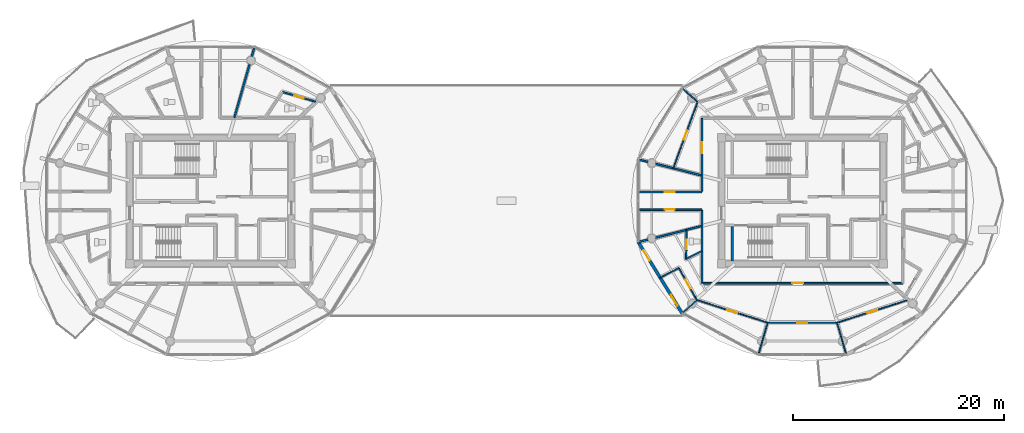
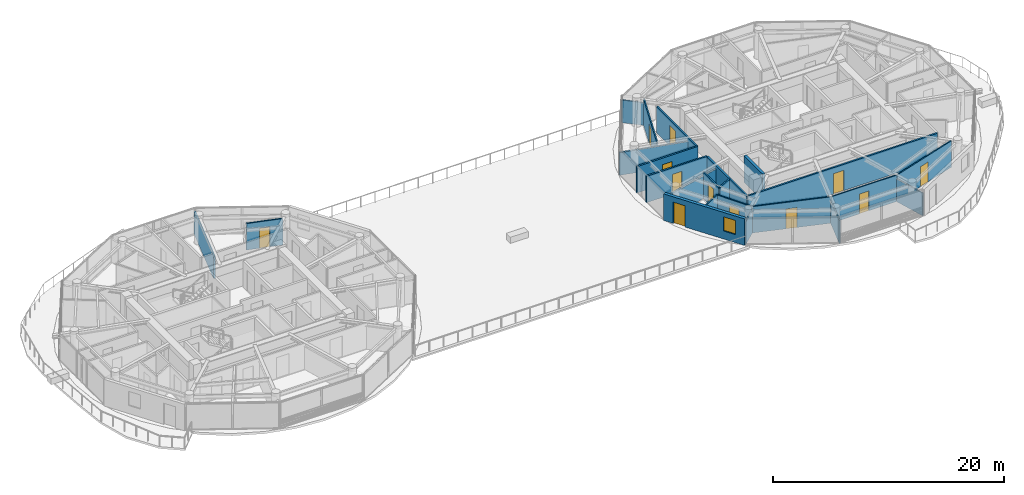
# One storey, part 16 of 30: 23 walls, 12 doors, 1 window, 13 openings.
"""IFC4 building model written with IfcOpenShell, lengths in metres."""

from ifc_helpers import new_model, si_unit, direction, frame, frame_2d, origin, place, context, subcontext, project, spatial, rectangle, extrude, source, transform, mapped, material, layer, layer_set, type_object, type_shapes, element, fill, save


model = new_model("IFC4")

# Units and contexts
model_context = context("Model", 3, precision=1e-05, world=origin(), true_north=direction((0.0, 1.0)))
body_context = subcontext(model_context, "Body", "Model", "MODEL_VIEW")
ifc_project = project(units=[si_unit("LENGTHUNIT", "METRE"), si_unit("AREAUNIT", "SQUARE_METRE"), si_unit("VOLUMEUNIT", "CUBIC_METRE"), si_unit("PLANEANGLEUNIT", "RADIAN"), si_unit("MASSUNIT", "GRAM", prefix="KILO")], contexts=[model_context])

# Site, building, storey
site_placement = place(None, origin())
site = spatial("IfcSite", under=ifc_project, at=site_placement, CompositionType="ELEMENT")
building_placement = place(site_placement, origin())
building = spatial("IfcBuilding", under=site, at=building_placement, Name="Norrkilde Senior Care Towers", CompositionType="ELEMENT")
storey_placement = place(building_placement, frame((0.0, 0.0, 232.199951171875)))
storey = spatial("IfcBuildingStorey", under=building, at=storey_placement, Name="L72", CompositionType="ELEMENT", Elevation=232.199951171875)

# Wall, openings, door, window
ifc_material_1 = material(Name="Precast concrete C45/55", Category="concrete")
ifc_layer_1 = layer(ifc_material_1, 0.2900390625)
ifc_layer_set_1 = layer_set([ifc_layer_1], Name="Precast concrete C45/55")
wall_type_1 = type_object("IfcWallType", Name="Winter Garden Facade Wall 290", PredefinedType="SOLIDWALL", material=ifc_layer_set_1)
shared_shape_1 = source(origin(), body_context, "Body", "SweptSolid", [
    extrude(rectangle(XDim=7.938232421875, YDim=0.2900390625, at=frame_2d((3.96923828125, 0.0))), origin(), (0.0, 0.0, 1.0), 2.81005859375),
])
type_shapes(wall_type_1, [shared_shape_1])
wall_1_placement = place(storey_placement, frame((16.629638671875, -10.6630859375, 0.0), z_axis=(0.0, 0.0, 1.0), x_axis=(-0.524244987663, 0.851567491694, 0.0)))
wall_1 = element("IfcWall", 1, at=wall_1_placement, inside=storey, type_object=wall_type_1, Name="L72 Drum E Balcony Access Wall 06", PredefinedType="SOLIDWALL", context=body_context, shape_type="MappedRepresentation", body=[
    mapped(shared_shape_1, transform((0.0, 0.0, 0.0), x_axis=(1.0, 0.0, 0.0), y_axis=(0.0, 1.0, 0.0), z_axis=(0.0, 0.0, 1.0), scale=1.0)),
])
opening_1_placement = place(wall_1_placement, frame((5.860107421875, 0.0, 0.0)))
opening_1 = element("IfcOpeningElement", 2, at=opening_1_placement, cuts=wall_1, Name="Opening D-09", PredefinedType="OPENING", context=body_context, shape_type="SweptSolid", body=[
    extrude(rectangle(XDim=1.14990234375, YDim=2.25, at=frame_2d((0.574951171875, 1.125))), frame((0.0, 0.155029296875, 0.0), z_axis=(0.0, -1.0, 0.0), x_axis=(1.0, 0.0, 0.0)), (0.0, 0.0, 1.0), 0.31005859375),
])
opening_2_placement = place(wall_1_placement, frame((0.85009765625, 0.0, 0.85009765625)))
opening_2 = element("IfcOpeningElement", 3, at=opening_2_placement, cuts=wall_1, Name="Opening WN-07", PredefinedType="OPENING", context=body_context, shape_type="SweptSolid", body=[
    extrude(rectangle(XDim=1.199951171875, YDim=1.5, at=frame_2d((0.60009765625, 0.75))), frame((0.0, 0.155029296875, 0.0), z_axis=(0.0, -1.0, 0.0), x_axis=(1.0, 0.0, 0.0)), (0.0, 0.0, 1.0), 0.31005859375),
])
ifc_material_2 = material(Name="Anodised Aluminium", Category="aluminium")
door_type_1 = type_object("IfcDoorType", Name="Terrace and Balcony Glazed Door 1150x2250", OperationType="NOTDEFINED", PredefinedType="DOOR", material=ifc_material_2)
shared_shape_2 = source(origin(), body_context, "Body", "SweptSolid", [
    extrude(rectangle(XDim=1.14990234375, YDim=2.25, at=frame_2d((0.574951171875, 1.125))), frame((0.0, 0.02490234375, 0.0), z_axis=(0.0, -1.0, 0.0), x_axis=(1.0, 0.0, 0.0)), (0.0, 0.0, 1.0), 0.050048828125),
])
type_shapes(door_type_1, [shared_shape_2])
door_1_placement = place(opening_1_placement, origin())
door_1 = element("IfcDoor", 4, at=door_1_placement, inside=storey, type_object=door_type_1, Name="L72 Drum E Outdoor Terrace Door 06", OperationType="SINGLE_SWING_LEFT", OverallHeight=2.25, OverallWidth=1.14990234375, PredefinedType="DOOR", context=body_context, shape_type="MappedRepresentation", body=[
    mapped(shared_shape_2, transform((0.0, 0.0, 0.0), x_axis=(1.0, 0.0, 0.0), y_axis=(0.0, 1.0, 0.0), z_axis=(0.0, 0.0, 1.0), scale=1.0)),
])
fill(opening_1, door_1)
ifc_material_3 = material(Name="Triple Low-E Insulated Glazing", Category="glass")
window_type = type_object("IfcWindowType", Name="Stairwell Smoke Vent Window 1200x1500", PartitioningType="SINGLE_PANEL", PredefinedType="WINDOW", material=ifc_material_3)
shared_shape_3 = source(origin(), body_context, "Body", "SweptSolid", [
    extrude(rectangle(XDim=1.199951171875, YDim=1.5, at=frame_2d((0.60009765625, 0.75))), frame((0.0, 0.030029296875, 0.0), z_axis=(0.0, -1.0, 0.0), x_axis=(1.0, 0.0, 0.0)), (0.0, 0.0, 1.0), 0.06005859375),
])
type_shapes(window_type, [shared_shape_3])
window_placement = place(opening_2_placement, origin())
window = element("IfcWindow", 5, at=window_placement, inside=storey, type_object=window_type, Name="L72 Drum E Winter Garden Window 06", OverallHeight=1.5, OverallWidth=1.199951171875, PartitioningType="SINGLE_PANEL", PredefinedType="WINDOW", context=body_context, shape_type="MappedRepresentation", body=[
    mapped(shared_shape_3, transform((0.0, 0.0, 0.0), x_axis=(1.0, 0.0, 0.0), y_axis=(0.0, 1.0, 0.0), z_axis=(0.0, 0.0, 1.0), scale=1.0)),
])
fill(opening_2, window)

# Wall, opening, door
ifc_material_4 = material(Name="Gypsum Acoustic Board")
ifc_layer_2 = layer(ifc_material_4, 0.1650390625)
ifc_layer_set_2 = layer_set([ifc_layer_2], Name="Gypsum Acoustic Board")
wall_type_2 = type_object("IfcWallType", Name="Corridor Rated Partition 165", PredefinedType="PARTITIONING", material=ifc_layer_set_2)
shared_shape_4 = source(origin(), body_context, "Body", "SweptSolid", [
    extrude(rectangle(XDim=19.0, YDim=0.1650390625, at=frame_2d((9.5, 0.0))), origin(), (0.0, 0.0, 1.0), 2.795166015625),
])
wall_2_placement = place(storey_placement, frame((37.5, -7.800048828125, 0.0), z_axis=(0.0, 0.0, 1.0), x_axis=(-1.0, 0.0, 0.0)))
wall_2 = element("IfcWall", 6, at=wall_2_placement, inside=storey, type_object=wall_type_2, Name="WL-INT-L72-E-CRW-S-0", PredefinedType="PARTITIONING", context=body_context, shape_type="MappedRepresentation", body=[
    mapped(shared_shape_4, transform((0.0, 0.0, 0.0), x_axis=(1.0, 0.0, 0.0), y_axis=(0.0, 1.0, 0.0), z_axis=(0.0, 0.0, 1.0), scale=1.0)),
])
opening_3_placement = place(wall_2_placement, frame((9.39208984375, 0.0, 0.0)))
opening_3 = element("IfcOpeningElement", 7, at=opening_3_placement, cuts=wall_2, Name="Opening D-06", PredefinedType="OPENING", context=body_context, shape_type="SweptSolid", body=[
    extrude(rectangle(XDim=1.050048828125, YDim=2.14990234375, at=frame_2d((0.52490234375, 1.074951171875))), frame((0.0, 0.092529296875, 0.0), z_axis=(0.0, -1.0, 0.0), x_axis=(1.0, 0.0, 0.0)), (0.0, 0.0, 1.0), 0.18505859375),
])
ifc_material_5 = material(Name="Nordic Ash Timber", Category="wood")
door_type_2 = type_object("IfcDoorType", Name="Apartment Entrance Fire Door 1050x2150", OperationType="NOTDEFINED", PredefinedType="DOOR", material=ifc_material_5)
shared_shape_5 = source(origin(), body_context, "Body", "SweptSolid", [
    extrude(rectangle(XDim=1.050048828125, YDim=2.14990234375, at=frame_2d((0.52490234375, 1.074951171875))), frame((0.0, 0.02490234375, 0.0), z_axis=(0.0, -1.0, 0.0), x_axis=(1.0, 0.0, 0.0)), (0.0, 0.0, 1.0), 0.050048828125),
])
type_shapes(door_type_2, [shared_shape_5])
door_2_placement = place(opening_3_placement, frame((1.050048828125, 0.0, 0.0), z_axis=(0.0, 0.0, 1.0), x_axis=(-1.0, 0.0, 0.0)))
door_2 = element("IfcDoor", 8, at=door_2_placement, inside=storey, type_object=door_type_2, Name="Apartment 72C Entrance Door", OperationType="SINGLE_SWING_LEFT", OverallHeight=2.14990234375, OverallWidth=1.050048828125, PredefinedType="DOOR", context=body_context, shape_type="MappedRepresentation", body=[
    mapped(shared_shape_5, transform((0.0, 0.0, 0.0), x_axis=(1.0, 0.0, 0.0), y_axis=(0.0, 1.0, 0.0), z_axis=(0.0, 0.0, 1.0), scale=1.0)),
])
fill(opening_3, door_2)

# Wall
shared_shape_6 = source(origin(), body_context, "Body", "SweptSolid", [
    extrude(rectangle(XDim=6.880126953125, YDim=0.1650390625, at=frame_2d((3.43994140625, 0.0))), origin(), (0.0, 0.0, 1.0), 2.795166015625),
])
wall_3_placement = place(storey_placement, frame((18.5, -7.800048828125, 0.0), z_axis=(0.0, 0.0, 1.0), x_axis=(0.0, 1.0, 0.0)))
element("IfcWall", 9, at=wall_3_placement, inside=storey, type_object=wall_type_2, Name="WL-INT-L72-E-CRW-W-0", PredefinedType="PARTITIONING", context=body_context, shape_type="MappedRepresentation", body=[
    mapped(shared_shape_6, transform((0.0, 0.0, 0.0), x_axis=(1.0, 0.0, 0.0), y_axis=(0.0, 1.0, 0.0), z_axis=(0.0, 0.0, 1.0), scale=1.0)),
])

# Wall, opening, door
wall_4_placement = place(storey_placement, frame((18.5, 0.919921875, 0.0), z_axis=(0.0, 0.0, 1.0), x_axis=(0.0, 1.0, 0.0)))
wall_4 = element("IfcWall", 10, at=wall_4_placement, inside=storey, type_object=wall_type_2, Name="WL-INT-L72-E-CRW-W-1", PredefinedType="PARTITIONING", context=body_context, shape_type="MappedRepresentation", body=[
    mapped(shared_shape_6, transform((0.0, 0.0, 0.0), x_axis=(1.0, 0.0, 0.0), y_axis=(0.0, 1.0, 0.0), z_axis=(0.0, 0.0, 1.0), scale=1.0)),
])
opening_4_placement = place(wall_4_placement, frame((3.564208984375, 0.0, 0.0)))
opening_4 = element("IfcOpeningElement", 11, at=opening_4_placement, cuts=wall_4, Name="Opening D-06", PredefinedType="OPENING", context=body_context, shape_type="SweptSolid", body=[
    extrude(rectangle(XDim=1.050048828125, YDim=2.14990234375, at=frame_2d((0.52490234375, 1.074951171875))), frame((0.0, 0.092529296875, 0.0), z_axis=(0.0, -1.0, 0.0), x_axis=(1.0, 0.0, 0.0)), (0.0, 0.0, 1.0), 0.18505859375),
])
door_3_placement = place(opening_4_placement, frame((1.050048828125, 0.0, 0.0), z_axis=(0.0, 0.0, 1.0), x_axis=(-1.0, 0.0, 0.0)))
door_3 = element("IfcDoor", 12, at=door_3_placement, inside=storey, type_object=door_type_2, Name="Apartment 72B Entrance Door", OperationType="SINGLE_SWING_RIGHT", OverallHeight=2.14990234375, OverallWidth=1.050048828125, PredefinedType="DOOR", context=body_context, shape_type="MappedRepresentation", body=[
    mapped(shared_shape_5, transform((0.0, 0.0, 0.0), x_axis=(1.0, 0.0, 0.0), y_axis=(0.0, 1.0, 0.0), z_axis=(0.0, 0.0, 1.0), scale=1.0)),
])
fill(opening_4, door_3)

# Walls
ifc_material_6 = material(Name="Concrete C45/55", Category="concrete")
ifc_layer_3 = layer(ifc_material_6, 0.239990234375)
ifc_layer_set_3 = layer_set([ifc_layer_3], Name="Concrete C45/55")
wall_type_3 = type_object("IfcWallType", Name="Shaft and Stair Enclosure Wall 240", PredefinedType="PARTITIONING", material=ifc_layer_set_3)
shared_shape_7 = source(origin(), body_context, "Body", "SweptSolid", [
    extrude(rectangle(XDim=3.239990234375, YDim=0.239990234375, at=frame_2d((1.6201171875, 0.0))), origin(), (0.0, 0.0, 1.0), 2.81005859375),
])
type_shapes(wall_type_3, [shared_shape_7])
wall_5_placement = place(storey_placement, frame((21.3798828125, -5.68994140625, 0.0), z_axis=(0.0, 0.0, 1.0), x_axis=(0.0, 1.0, 0.0)))
element("IfcWall", 13, at=wall_5_placement, inside=storey, type_object=wall_type_3, Name="WL-INT-L72-E-ST2W", PredefinedType="PARTITIONING", context=body_context, shape_type="MappedRepresentation", body=[
    mapped(shared_shape_7, transform((0.0, 0.0, 0.0), x_axis=(1.0, 0.0, 0.0), y_axis=(0.0, 1.0, 0.0), z_axis=(0.0, 0.0, 1.0), scale=1.0)),
])
shared_shape_8 = source(origin(), body_context, "Body", "SweptSolid", [
    extrude(rectangle(XDim=6.973876953125, YDim=0.1650390625, at=frame_2d((3.48681640625, 0.0))), origin(), (0.0, 0.0, 1.0), 2.39501953125),
])
wall_6_placement = place(storey_placement, frame((-25.748779296875, 7.8798828125, 0.0), z_axis=(0.0, 0.0, 1.0), x_axis=(0.274707256801, 0.961527910703, 0.0)))
element("IfcWall", 14, at=wall_6_placement, inside=storey, type_object=wall_type_2, Name="WL-INT-L72-W-DEM-02-0", PredefinedType="PARTITIONING", context=body_context, shape_type="MappedRepresentation", body=[
    mapped(shared_shape_8, transform((0.0, 0.0, 0.0), x_axis=(1.0, 0.0, 0.0), y_axis=(0.0, 1.0, 0.0), z_axis=(0.0, 0.0, 1.0), scale=1.0)),
])
shared_shape_9 = source(origin(), body_context, "Body", "SweptSolid", [
    extrude(rectangle(XDim=6.1572265625, YDim=0.1650390625, at=frame_2d((3.07861328125, 0.0))), origin(), (0.0, 0.0, 1.0), 2.39501953125),
])
for number, where, z_axis, x_axis, name in (
    (15, (18.419921875, 2.407470703125, 0.0), (0.0, 0.0, 1.0), (-0.969840867184, 0.243738984038, 0.0), "WL-INT-L72-E-DEM-05-0"),
    (16, (18.419921875, -2.407470703125, 0.0), (0.0, 0.0, 1.0), (-0.969840867184, -0.243738984038, 0.0), "WL-INT-L72-E-DEM-06-0"),
):
    element("IfcWall", number, at=place(storey_placement, frame(where, z_axis=z_axis, x_axis=x_axis)), inside=storey, type_object=wall_type_2, Name=name, PredefinedType="PARTITIONING", context=body_context, shape_type="MappedRepresentation", body=[
        mapped(shared_shape_9, transform((0.0, 0.0, 0.0), x_axis=(1.0, 0.0, 0.0), y_axis=(0.0, 1.0, 0.0), z_axis=(0.0, 0.0, 1.0), scale=1.0)),
    ])

# Wall, opening, door
shared_shape_10 = source(origin(), body_context, "Body", "SweptSolid", [
    extrude(rectangle(XDim=6.101318359375, YDim=0.1650390625, at=frame_2d((3.05078125, 0.0))), origin(), (0.0, 0.0, 1.0), 2.795166015625),
])
type_shapes(wall_type_2, [shared_shape_4, shared_shape_6, shared_shape_8, shared_shape_9, shared_shape_10])
wall_7_placement = place(storey_placement, frame((12.398681640625, 0.840087890625, 0.0), z_axis=(0.0, 0.0, 1.0), x_axis=(1.0, 0.0, 0.0)))
wall_7 = element("IfcWall", 17, at=wall_7_placement, inside=storey, type_object=wall_type_2, Name="WL-INT-L72-E-SPK-W1-0", PredefinedType="PARTITIONING", context=body_context, shape_type="MappedRepresentation", body=[
    mapped(shared_shape_10, transform((0.0, 0.0, 0.0), x_axis=(1.0, 0.0, 0.0), y_axis=(0.0, 1.0, 0.0), z_axis=(0.0, 0.0, 1.0), scale=1.0)),
])
opening_5_placement = place(wall_7_placement, frame((2.57568359375, 0.0, 0.0)))
opening_5 = element("IfcOpeningElement", 18, at=opening_5_placement, cuts=wall_7, Name="Opening D-07", PredefinedType="OPENING", context=body_context, shape_type="SweptSolid", body=[
    extrude(rectangle(XDim=0.949951171875, YDim=2.10009765625, at=frame_2d((0.47509765625, 1.050048828125))), frame((0.0, 0.092529296875, 0.0), z_axis=(0.0, -1.0, 0.0), x_axis=(1.0, 0.0, 0.0)), (0.0, 0.0, 1.0), 0.18505859375),
])
door_type_3 = type_object("IfcDoorType", Name="Internal Suite Bedroom Door 950x2100", OperationType="NOTDEFINED", PredefinedType="DOOR", material=ifc_material_5)
shared_shape_11 = source(origin(), body_context, "Body", "SweptSolid", [
    extrude(rectangle(XDim=0.949951171875, YDim=2.10009765625, at=frame_2d((0.47509765625, 1.050048828125))), frame((0.0, 0.02490234375, 0.0), z_axis=(0.0, -1.0, 0.0), x_axis=(1.0, 0.0, 0.0)), (0.0, 0.0, 1.0), 0.050048828125),
])
type_shapes(door_type_3, [shared_shape_11])
door_4_placement = place(opening_5_placement, frame((0.949951171875, 0.0, 0.0), z_axis=(0.0, 0.0, 1.0), x_axis=(-1.0, 0.0, 0.0)))
door_4 = element("IfcDoor", 19, at=door_4_placement, inside=storey, type_object=door_type_3, Name="L72 Sun Reading Lounge 2 Door", OperationType="SINGLE_SWING_LEFT", OverallHeight=2.10009765625, OverallWidth=0.949951171875, PredefinedType="DOOR", context=body_context, shape_type="MappedRepresentation", body=[
    mapped(shared_shape_11, transform((0.0, 0.0, 0.0), x_axis=(1.0, 0.0, 0.0), y_axis=(0.0, 1.0, 0.0), z_axis=(0.0, 0.0, 1.0), scale=1.0)),
])
fill(opening_5, door_4)

wall_8_placement = place(storey_placement, frame((18.5, -0.840087890625, 0.0), z_axis=(0.0, 0.0, 1.0), x_axis=(-1.0, 0.0, 0.0)))
wall_8 = element("IfcWall", 20, at=wall_8_placement, inside=storey, type_object=wall_type_2, Name="WL-INT-L72-E-SPK-W2-0", PredefinedType="PARTITIONING", context=body_context, shape_type="MappedRepresentation", body=[
    mapped(shared_shape_10, transform((0.0, 0.0, 0.0), x_axis=(1.0, 0.0, 0.0), y_axis=(0.0, 1.0, 0.0), z_axis=(0.0, 0.0, 1.0), scale=1.0)),
])
opening_6_placement = place(wall_8_placement, frame((2.57568359375, 0.0, 0.0)))
opening_6 = element("IfcOpeningElement", 21, at=opening_6_placement, cuts=wall_8, Name="Opening D-07", PredefinedType="OPENING", context=body_context, shape_type="SweptSolid", body=[
    extrude(rectangle(XDim=0.949951171875, YDim=2.10009765625, at=frame_2d((0.47509765625, 1.050048828125))), frame((0.0, 0.092529296875, 0.0), z_axis=(0.0, -1.0, 0.0), x_axis=(1.0, 0.0, 0.0)), (0.0, 0.0, 1.0), 0.18505859375),
])
door_5_placement = place(opening_6_placement, frame((0.949951171875, 0.0, 0.0), z_axis=(0.0, 0.0, 1.0), x_axis=(-1.0, 0.0, 0.0)))
door_5 = element("IfcDoor", 22, at=door_5_placement, inside=storey, type_object=door_type_3, Name="L72 Sun Reading Lounge 1 Door", OperationType="SINGLE_SWING_RIGHT", OverallHeight=2.10009765625, OverallWidth=0.949951171875, PredefinedType="DOOR", context=body_context, shape_type="MappedRepresentation", body=[
    mapped(shared_shape_11, transform((0.0, 0.0, 0.0), x_axis=(1.0, 0.0, 0.0), y_axis=(0.0, 1.0, 0.0), z_axis=(0.0, 0.0, 1.0), scale=1.0)),
])
fill(opening_6, door_5)

ifc_layer_4 = layer(ifc_material_4, 0.139892578125)
ifc_layer_set_4 = layer_set([ifc_layer_4], Name="Gypsum Acoustic Board")
wall_type_4 = type_object("IfcWallType", Name="En-suite Wet Room Wall 140", PredefinedType="PARTITIONING", material=ifc_layer_set_4)
shared_shape_12 = source(origin(), body_context, "Body", "SweptSolid", [
    extrude(rectangle(XDim=3.252197265625, YDim=0.139892578125, at=frame_2d((1.6259765625, 0.0))), origin(), (0.0, 0.0, 1.0), 2.795166015625),
])
wall_9_placement = place(storey_placement, frame((-21.180419921875, 10.291259765625, 0.0), z_axis=(0.0, 0.0, 1.0), x_axis=(0.959294945864, -0.282406102695, 0.0)))
wall_9 = element("IfcWall", 23, at=wall_9_placement, inside=storey, type_object=wall_type_4, Name="WL-INT-L72-W-EF-01", PredefinedType="PARTITIONING", context=body_context, shape_type="MappedRepresentation", body=[
    mapped(shared_shape_12, transform((0.0, 0.0, 0.0), x_axis=(1.0, 0.0, 0.0), y_axis=(0.0, 1.0, 0.0), z_axis=(0.0, 0.0, 1.0), scale=1.0)),
])
opening_7_placement = place(wall_9_placement, frame((1.166259765625, 0.0, 0.0)))
opening_7 = element("IfcOpeningElement", 24, at=opening_7_placement, cuts=wall_9, Name="Opening D-08", PredefinedType="OPENING", context=body_context, shape_type="SweptSolid", body=[
    extrude(rectangle(XDim=0.919921875, YDim=2.10009765625, at=frame_2d((0.4599609375, 1.050048828125))), frame((0.0, 0.079833984375, 0.0), z_axis=(0.0, -1.0, 0.0), x_axis=(1.0, 0.0, 0.0)), (0.0, 0.0, 1.0), 0.159912109375),
])
door_type_4 = type_object("IfcDoorType", Name="Accessible Wet Room Door 920x2100", OperationType="NOTDEFINED", PredefinedType="DOOR", material=ifc_material_5)
shared_shape_13 = source(origin(), body_context, "Body", "SweptSolid", [
    extrude(rectangle(XDim=0.919921875, YDim=2.10009765625, at=frame_2d((0.4599609375, 1.050048828125))), frame((0.0, 0.02490234375, 0.0), z_axis=(0.0, -1.0, 0.0), x_axis=(1.0, 0.0, 0.0)), (0.0, 0.0, 1.0), 0.050048828125),
])
type_shapes(door_type_4, [shared_shape_13])
door_6_placement = place(opening_7_placement, origin())
door_6 = element("IfcDoor", 25, at=door_6_placement, inside=storey, type_object=door_type_4, Name="L72 Care Suite 7201 Bathroom Door", OperationType="SINGLE_SWING_LEFT", OverallHeight=2.10009765625, OverallWidth=0.919921875, PredefinedType="DOOR", context=body_context, shape_type="MappedRepresentation", body=[
    mapped(shared_shape_13, transform((0.0, 0.0, 0.0), x_axis=(1.0, 0.0, 0.0), y_axis=(0.0, 1.0, 0.0), z_axis=(0.0, 0.0, 1.0), scale=1.0)),
])
fill(opening_7, door_6)

# Wall
shared_shape_14 = source(origin(), body_context, "Body", "SweptSolid", [
    extrude(rectangle(XDim=1.638427734375, YDim=0.139892578125, at=frame_2d((0.8193359375, 0.0))), origin(), (0.0, 0.0, 1.0), 2.795166015625),
])
wall_10_placement = place(storey_placement, frame((18.469970703125, -4.7783203125, 0.0), z_axis=(0.0, 0.0, 1.0), x_axis=(-0.893919977945, -0.448226586707, 0.0)))
element("IfcWall", 26, at=wall_10_placement, inside=storey, type_object=wall_type_4, Name="WL-INT-L72-E-UBTS-06", PredefinedType="PARTITIONING", context=body_context, shape_type="MappedRepresentation", body=[
    mapped(shared_shape_14, transform((0.0, 0.0, 0.0), x_axis=(1.0, 0.0, 0.0), y_axis=(0.0, 1.0, 0.0), z_axis=(0.0, 0.0, 1.0), scale=1.0)),
])

# Wall, opening, door
shared_shape_15 = source(origin(), body_context, "Body", "SweptSolid", [
    extrude(rectangle(XDim=2.7587890625, YDim=0.139892578125, at=frame_2d((1.37939453125, 0.0))), origin(), (0.0, 0.0, 1.0), 2.795166015625),
])
type_shapes(wall_type_4, [shared_shape_12, shared_shape_14, shared_shape_15])
wall_11_placement = place(storey_placement, frame((17.00537109375, -5.5126953125, 0.0), z_axis=(0.0, 0.0, 1.0), x_axis=(0.01194710728, 0.999928630767, 0.0)))
wall_11 = element("IfcWall", 27, at=wall_11_placement, inside=storey, type_object=wall_type_4, Name="WL-INT-L72-E-UBTF-06", PredefinedType="PARTITIONING", context=body_context, shape_type="MappedRepresentation", body=[
    mapped(shared_shape_15, transform((0.0, 0.0, 0.0), x_axis=(1.0, 0.0, 0.0), y_axis=(0.0, 1.0, 0.0), z_axis=(0.0, 0.0, 1.0), scale=1.0)),
])
opening_8_placement = place(wall_11_placement, frame((0.91943359375, 0.0, 0.0)))
opening_8 = element("IfcOpeningElement", 28, at=opening_8_placement, cuts=wall_11, Name="Opening D-08", PredefinedType="OPENING", context=body_context, shape_type="SweptSolid", body=[
    extrude(rectangle(XDim=0.919921875, YDim=2.10009765625, at=frame_2d((0.4599609375, 1.050048828125))), frame((0.0, 0.079833984375, 0.0), z_axis=(0.0, -1.0, 0.0), x_axis=(1.0, 0.0, 0.0)), (0.0, 0.0, 1.0), 0.159912109375),
])
door_7_placement = place(opening_8_placement, origin())
door_7 = element("IfcDoor", 29, at=door_7_placement, inside=storey, type_object=door_type_4, Name="Apartment 72C Bathroom Door", OperationType="SINGLE_SWING_RIGHT", OverallHeight=2.10009765625, OverallWidth=0.919921875, PredefinedType="DOOR", context=body_context, shape_type="MappedRepresentation", body=[
    mapped(shared_shape_13, transform((0.0, 0.0, 0.0), x_axis=(1.0, 0.0, 0.0), y_axis=(0.0, 1.0, 0.0), z_axis=(0.0, 0.0, 1.0), scale=1.0)),
])
fill(opening_8, door_7)

ifc_layer_5 = layer(ifc_material_4, 0.114990234375)
ifc_layer_set_5 = layer_set([ifc_layer_5], Name="Gypsum Acoustic Board")
wall_type_5 = type_object("IfcWallType", Name="Internal Room Partition 115", PredefinedType="PARTITIONING", material=ifc_layer_set_5)
shared_shape_16 = source(origin(), body_context, "Body", "SweptSolid", [
    extrude(rectangle(XDim=6.68994140625, YDim=0.114990234375, at=frame_2d((3.344970703125, 0.0))), origin(), (0.0, 0.0, 1.0), 2.795166015625),
])
wall_12_placement = place(storey_placement, frame((18.082763671875, 9.351806640625, 0.0), z_axis=(0.0, 0.0, 1.0), x_axis=(-0.343693784919, -0.939081776102, 0.0)))
wall_12 = element("IfcWall", 30, at=wall_12_placement, inside=storey, type_object=wall_type_5, Name="WL-INT-L72-E-UBC-03-1", PredefinedType="PARTITIONING", context=body_context, shape_type="MappedRepresentation", body=[
    mapped(shared_shape_16, transform((0.0, 0.0, 0.0), x_axis=(1.0, 0.0, 0.0), y_axis=(0.0, 1.0, 0.0), z_axis=(0.0, 0.0, 1.0), scale=1.0)),
])
opening_9_placement = place(wall_12_placement, frame((2.8701171875, 0.0, 0.0)))
opening_9 = element("IfcOpeningElement", 31, at=opening_9_placement, cuts=wall_12, Name="Opening D-07", PredefinedType="OPENING", context=body_context, shape_type="SweptSolid", body=[
    extrude(rectangle(XDim=0.949951171875, YDim=2.10009765625, at=frame_2d((0.47509765625, 1.050048828125))), frame((0.0, 0.0673828125, 0.0), z_axis=(0.0, -1.0, 0.0), x_axis=(1.0, 0.0, 0.0)), (0.0, 0.0, 1.0), 0.135009765625),
])
door_8_placement = place(opening_9_placement, origin())
door_8 = element("IfcDoor", 32, at=door_8_placement, inside=storey, type_object=door_type_3, Name="Apartment 72B Bedroom 1 Door", OperationType="SINGLE_SWING_LEFT", OverallHeight=2.10009765625, OverallWidth=0.949951171875, PredefinedType="DOOR", context=body_context, shape_type="MappedRepresentation", body=[
    mapped(shared_shape_11, transform((0.0, 0.0, 0.0), x_axis=(1.0, 0.0, 0.0), y_axis=(0.0, 1.0, 0.0), z_axis=(0.0, 0.0, 1.0), scale=1.0)),
])
fill(opening_9, door_8)

# Wall
shared_shape_17 = source(origin(), body_context, "Body", "SweptSolid", [
    extrude(rectangle(XDim=1.977294921875, YDim=0.114990234375, at=frame_2d((0.98876953125, 0.0))), origin(), (0.0, 0.0, 1.0), 2.39501953125),
])
wall_13_placement = place(storey_placement, frame((18.082763671875, 9.351806640625, 0.0), z_axis=(0.0, 0.0, 1.0), x_axis=(-0.742064998629, 0.670327933037, 0.0)))
element("IfcWall", 33, at=wall_13_placement, inside=storey, type_object=wall_type_5, Name="WL-INT-L72-E-UBR-03-1", PredefinedType="PARTITIONING", context=body_context, shape_type="MappedRepresentation", body=[
    mapped(shared_shape_17, transform((0.0, 0.0, 0.0), x_axis=(1.0, 0.0, 0.0), y_axis=(0.0, 1.0, 0.0), z_axis=(0.0, 0.0, 1.0), scale=1.0)),
])

# Wall, opening, door
shared_shape_18 = source(origin(), body_context, "Body", "SweptSolid", [
    extrude(rectangle(XDim=7.024169921875, YDim=0.114990234375, at=frame_2d((3.51220703125, 0.0))), origin(), (0.0, 0.0, 1.0), 2.795166015625),
])
wall_14_placement = place(storey_placement, frame((18.0302734375, -9.4013671875, 0.0), z_axis=(0.0, 0.0, 1.0), x_axis=(0.952454006655, -0.304682400552, 0.0)))
wall_14 = element("IfcWall", 34, at=wall_14_placement, inside=storey, type_object=wall_type_5, Name="WL-INT-L72-E-UBC-06-1", PredefinedType="PARTITIONING", context=body_context, shape_type="MappedRepresentation", body=[
    mapped(shared_shape_18, transform((0.0, 0.0, 0.0), x_axis=(1.0, 0.0, 0.0), y_axis=(0.0, 1.0, 0.0), z_axis=(0.0, 0.0, 1.0), scale=1.0)),
])
opening_10_placement = place(wall_14_placement, frame((3.037109375, 0.0, 0.0)))
opening_10 = element("IfcOpeningElement", 35, at=opening_10_placement, cuts=wall_14, Name="Opening D-07", PredefinedType="OPENING", context=body_context, shape_type="SweptSolid", body=[
    extrude(rectangle(XDim=0.949951171875, YDim=2.10009765625, at=frame_2d((0.47509765625, 1.050048828125))), frame((0.0, 0.0673828125, 0.0), z_axis=(0.0, -1.0, 0.0), x_axis=(1.0, 0.0, 0.0)), (0.0, 0.0, 1.0), 0.135009765625),
])
door_9_placement = place(opening_10_placement, origin())
door_9 = element("IfcDoor", 36, at=door_9_placement, inside=storey, type_object=door_type_3, Name="Apartment 72C Bedroom 1 Door", OperationType="SINGLE_SWING_RIGHT", OverallHeight=2.10009765625, OverallWidth=0.949951171875, PredefinedType="DOOR", context=body_context, shape_type="MappedRepresentation", body=[
    mapped(shared_shape_11, transform((0.0, 0.0, 0.0), x_axis=(1.0, 0.0, 0.0), y_axis=(0.0, 1.0, 0.0), z_axis=(0.0, 0.0, 1.0), scale=1.0)),
])
fill(opening_10, door_9)

wall_15_placement = place(storey_placement, frame((31.279541015625, -11.54150390625, 0.0), z_axis=(0.0, 0.0, 1.0), x_axis=(0.952454006655, 0.304682400552, 0.0)))
wall_15 = element("IfcWall", 37, at=wall_15_placement, inside=storey, type_object=wall_type_5, Name="WL-INT-L72-E-UBC-06-3", PredefinedType="PARTITIONING", context=body_context, shape_type="MappedRepresentation", body=[
    mapped(shared_shape_18, transform((0.0, 0.0, 0.0), x_axis=(1.0, 0.0, 0.0), y_axis=(0.0, 1.0, 0.0), z_axis=(0.0, 0.0, 1.0), scale=1.0)),
])
opening_11_placement = place(wall_15_placement, frame((3.037109375, 0.0, 0.0)))
opening_11 = element("IfcOpeningElement", 38, at=opening_11_placement, cuts=wall_15, Name="Opening D-07", PredefinedType="OPENING", context=body_context, shape_type="SweptSolid", body=[
    extrude(rectangle(XDim=0.949951171875, YDim=2.10009765625, at=frame_2d((0.47509765625, 1.050048828125))), frame((0.0, 0.0673828125, 0.0), z_axis=(0.0, -1.0, 0.0), x_axis=(1.0, 0.0, 0.0)), (0.0, 0.0, 1.0), 0.135009765625),
])
door_10_placement = place(opening_11_placement, origin())
door_10 = element("IfcDoor", 39, at=door_10_placement, inside=storey, type_object=door_type_3, Name="Apartment 72C Bedroom 3 Door", OperationType="SINGLE_SWING_RIGHT", OverallHeight=2.10009765625, OverallWidth=0.949951171875, PredefinedType="DOOR", context=body_context, shape_type="MappedRepresentation", body=[
    mapped(shared_shape_11, transform((0.0, 0.0, 0.0), x_axis=(1.0, 0.0, 0.0), y_axis=(0.0, 1.0, 0.0), z_axis=(0.0, 0.0, 1.0), scale=1.0)),
])
fill(opening_11, door_10)

# Wall
shared_shape_19 = source(origin(), body_context, "Body", "SweptSolid", [
    extrude(rectangle(XDim=1.905029296875, YDim=0.114990234375, at=frame_2d((0.95263671875, 0.0))), origin(), (0.0, 0.0, 1.0), 2.39501953125),
])
wall_16_placement = place(storey_placement, frame((18.0302734375, -9.4013671875, 0.0), z_axis=(0.0, 0.0, 1.0), x_axis=(-0.742624708137, -0.669707804094, 0.0)))
element("IfcWall", 40, at=wall_16_placement, inside=storey, type_object=wall_type_5, Name="WL-INT-L72-E-UBR-06-1", PredefinedType="PARTITIONING", context=body_context, shape_type="MappedRepresentation", body=[
    mapped(shared_shape_19, transform((0.0, 0.0, 0.0), x_axis=(1.0, 0.0, 0.0), y_axis=(0.0, 1.0, 0.0), z_axis=(0.0, 0.0, 1.0), scale=1.0)),
])

# Wall, opening, door
shared_shape_20 = source(origin(), body_context, "Body", "SweptSolid", [
    extrude(rectangle(XDim=6.5576171875, YDim=0.114990234375, at=frame_2d((3.27880859375, 0.0))), origin(), (0.0, 0.0, 1.0), 2.795166015625),
])
wall_17_placement = place(storey_placement, frame((24.72119140625, -11.538818359375, 0.0), z_axis=(0.0, 0.0, 1.0), x_axis=(1.0, 0.0, 0.0)))
wall_17 = element("IfcWall", 41, at=wall_17_placement, inside=storey, type_object=wall_type_5, Name="WL-INT-L72-E-UBC-06-2", PredefinedType="PARTITIONING", context=body_context, shape_type="MappedRepresentation", body=[
    mapped(shared_shape_20, transform((0.0, 0.0, 0.0), x_axis=(1.0, 0.0, 0.0), y_axis=(0.0, 1.0, 0.0), z_axis=(0.0, 0.0, 1.0), scale=1.0)),
])
opening_12_placement = place(wall_17_placement, frame((2.8037109375, 0.0, 0.0)))
opening_12 = element("IfcOpeningElement", 42, at=opening_12_placement, cuts=wall_17, Name="Opening D-07", PredefinedType="OPENING", context=body_context, shape_type="SweptSolid", body=[
    extrude(rectangle(XDim=0.949951171875, YDim=2.10009765625, at=frame_2d((0.47509765625, 1.050048828125))), frame((0.0, 0.0673828125, 0.0), z_axis=(0.0, -1.0, 0.0), x_axis=(1.0, 0.0, 0.0)), (0.0, 0.0, 1.0), 0.135009765625),
])
door_11_placement = place(opening_12_placement, frame((0.949951171875, 0.0, 0.0), z_axis=(0.0, 0.0, 1.0), x_axis=(-1.0, 0.0, 0.0)))
door_11 = element("IfcDoor", 43, at=door_11_placement, inside=storey, type_object=door_type_3, Name="Apartment 72C Bedroom 2 Door", OperationType="SINGLE_SWING_LEFT", OverallHeight=2.10009765625, OverallWidth=0.949951171875, PredefinedType="DOOR", context=body_context, shape_type="MappedRepresentation", body=[
    mapped(shared_shape_11, transform((0.0, 0.0, 0.0), x_axis=(1.0, 0.0, 0.0), y_axis=(0.0, 1.0, 0.0), z_axis=(0.0, 0.0, 1.0), scale=1.0)),
])
fill(opening_12, door_11)

# Walls
shared_shape_21 = source(origin(), body_context, "Body", "SweptSolid", [
    extrude(rectangle(XDim=3.17333984375, YDim=0.114990234375, at=frame_2d((1.586669921875, 0.0))), origin(), (0.0, 0.0, 1.0), 2.39501953125),
])
wall_18_placement = place(storey_placement, frame((24.72119140625, -11.538818359375, 0.0), z_axis=(0.0, 0.0, 1.0), x_axis=(-0.279878875918, -0.960035319566, 0.0)))
element("IfcWall", 44, at=wall_18_placement, inside=storey, type_object=wall_type_5, Name="WL-INT-L72-E-UBR-06-2", PredefinedType="PARTITIONING", context=body_context, shape_type="MappedRepresentation", body=[
    mapped(shared_shape_21, transform((0.0, 0.0, 0.0), x_axis=(1.0, 0.0, 0.0), y_axis=(0.0, 1.0, 0.0), z_axis=(0.0, 0.0, 1.0), scale=1.0)),
])
shared_shape_22 = source(origin(), body_context, "Body", "SweptSolid", [
    extrude(rectangle(XDim=3.170654296875, YDim=0.114990234375, at=frame_2d((1.58544921875, 0.0))), origin(), (0.0, 0.0, 1.0), 2.39501953125),
])
wall_19_placement = place(storey_placement, frame((31.279541015625, -11.54150390625, 0.0), z_axis=(0.0, 0.0, 1.0), x_axis=(0.279893554029, -0.960031040338, 0.0)))
element("IfcWall", 45, at=wall_19_placement, inside=storey, type_object=wall_type_5, Name="WL-INT-L72-E-UBR-06-3", PredefinedType="PARTITIONING", context=body_context, shape_type="MappedRepresentation", body=[
    mapped(shared_shape_22, transform((0.0, 0.0, 0.0), x_axis=(1.0, 0.0, 0.0), y_axis=(0.0, 1.0, 0.0), z_axis=(0.0, 0.0, 1.0), scale=1.0)),
])
shared_shape_23 = source(origin(), body_context, "Body", "SweptSolid", [
    extrude(rectangle(XDim=2.014892578125, YDim=0.114990234375, at=frame_2d((1.00732421875, 0.0))), origin(), (0.0, 0.0, 1.0), 2.795166015625),
])
wall_20_placement = place(storey_placement, frame((16.318115234375, -6.360107421875, 0.0), z_axis=(0.0, 0.0, 1.0), x_axis=(-0.886437892009, -0.462847559797, 0.0)))
element("IfcWall", 46, at=wall_20_placement, inside=storey, type_object=wall_type_5, Name="WL-INT-L72-E-UKTS-06", PredefinedType="PARTITIONING", context=body_context, shape_type="MappedRepresentation", body=[
    mapped(shared_shape_23, transform((0.0, 0.0, 0.0), x_axis=(1.0, 0.0, 0.0), y_axis=(0.0, 1.0, 0.0), z_axis=(0.0, 0.0, 1.0), scale=1.0)),
])

# Wall, opening, door
shared_shape_24 = source(origin(), body_context, "Body", "SweptSolid", [
    extrude(rectangle(XDim=3.49267578125, YDim=0.114990234375, at=frame_2d((1.746337890625, 0.0))), origin(), (0.0, 0.0, 1.0), 2.795166015625),
])
type_shapes(wall_type_5, [shared_shape_16, shared_shape_17, shared_shape_18, shared_shape_19, shared_shape_20, shared_shape_21, shared_shape_22, shared_shape_23, shared_shape_24])
wall_21_placement = place(storey_placement, frame((16.318115234375, -6.360107421875, 0.0), z_axis=(0.0, 0.0, 1.0), x_axis=(0.487896553961, -0.872901456427, 0.0)))
wall_21 = element("IfcWall", 47, at=wall_21_placement, inside=storey, type_object=wall_type_5, Name="WL-INT-L72-E-UKTF-06", PredefinedType="PARTITIONING", context=body_context, shape_type="MappedRepresentation", body=[
    mapped(shared_shape_24, transform((0.0, 0.0, 0.0), x_axis=(1.0, 0.0, 0.0), y_axis=(0.0, 1.0, 0.0), z_axis=(0.0, 0.0, 1.0), scale=1.0)),
])
opening_13_placement = place(wall_21_placement, frame((1.271484375, 0.0, 0.0)))
opening_13 = element("IfcOpeningElement", 48, at=opening_13_placement, cuts=wall_21, Name="Opening D-07", PredefinedType="OPENING", context=body_context, shape_type="SweptSolid", body=[
    extrude(rectangle(XDim=0.949951171875, YDim=2.10009765625, at=frame_2d((0.47509765625, 1.050048828125))), frame((0.0, 0.0673828125, 0.0), z_axis=(0.0, -1.0, 0.0), x_axis=(1.0, 0.0, 0.0)), (0.0, 0.0, 1.0), 0.135009765625),
])
door_12_placement = place(opening_13_placement, frame((0.949951171875, 0.0, 0.0), z_axis=(0.0, 0.0, 1.0), x_axis=(-1.0, 0.0, 0.0)))
door_12 = element("IfcDoor", 49, at=door_12_placement, inside=storey, type_object=door_type_3, Name="Apartment 72C Kitchen Door", OperationType="SINGLE_SWING_LEFT", OverallHeight=2.10009765625, OverallWidth=0.949951171875, PredefinedType="DOOR", context=body_context, shape_type="MappedRepresentation", body=[
    mapped(shared_shape_11, transform((0.0, 0.0, 0.0), x_axis=(1.0, 0.0, 0.0), y_axis=(0.0, 1.0, 0.0), z_axis=(0.0, 0.0, 1.0), scale=1.0)),
])
fill(opening_13, door_12)

save(model, "model.ifc")
